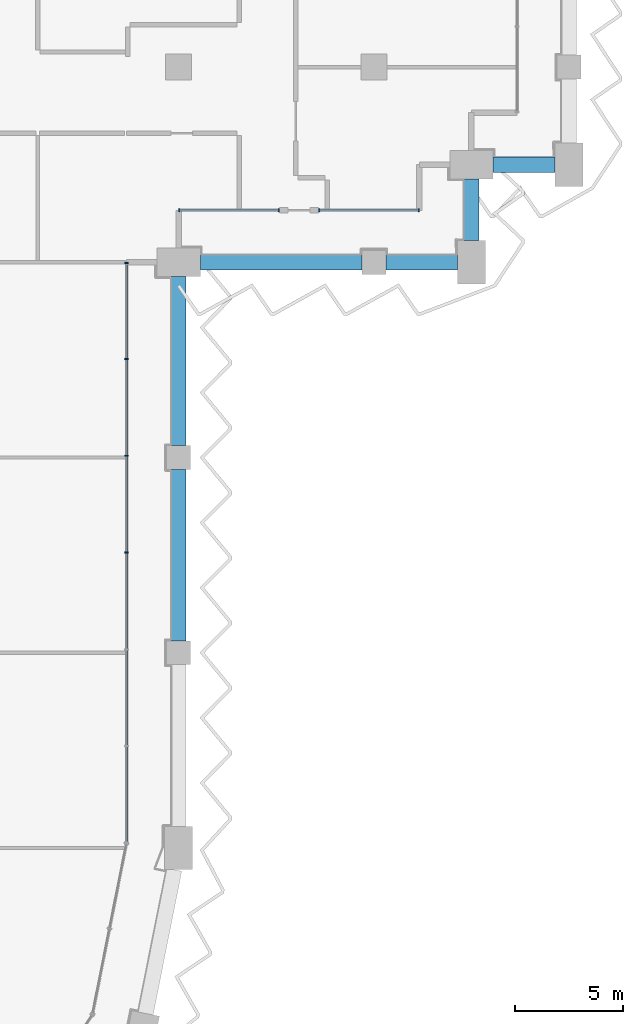
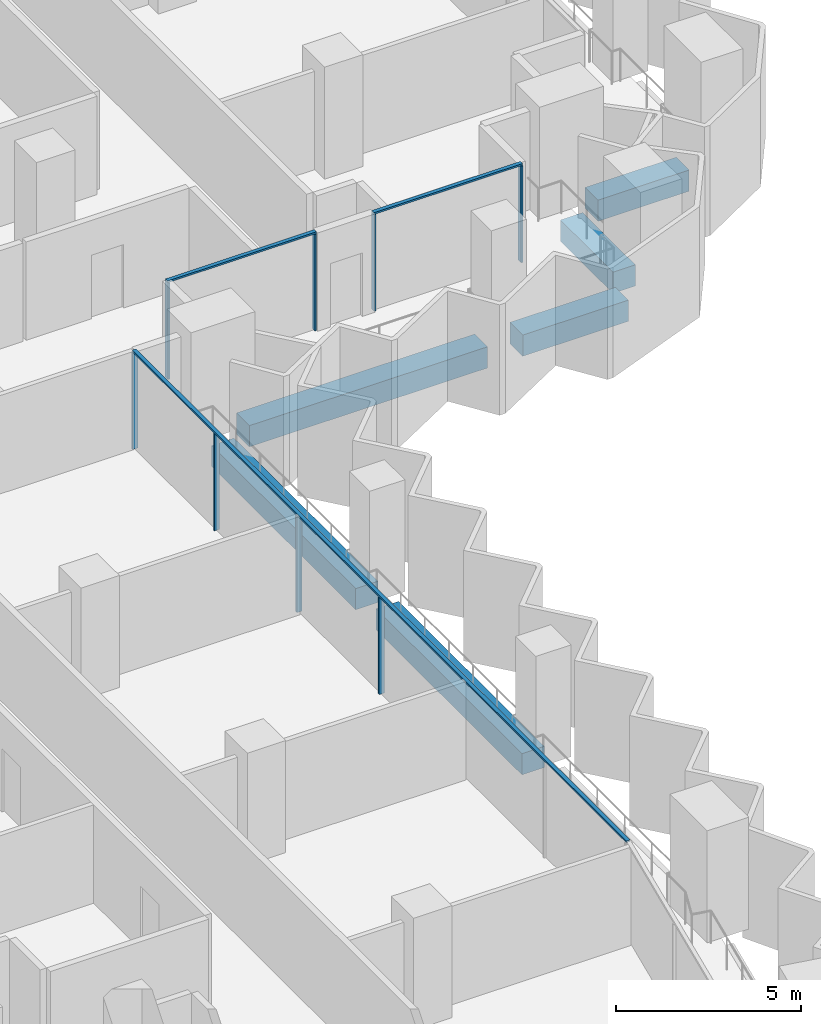
# One storey, part 5 of 22: 11 members, 6 beams, 3 elements without a shape of their own.
"""IFC4 building model written with IfcOpenShell, lengths in metres."""

import ifcopenshell
import ifcopenshell.guid

model = None  # the IFC model being written
_history = None  # IfcOwnerHistory: only IFC2X3 demands one
_inside = {}  # id of a spatial element -> (the spatial element, [elements in it])
_under = {}  # id of a project, library or spatial element -> (it, [spatial elements below it])
_declared = {}  # id of a project -> (the project, [libraries it declares])
_typed = {}  # id of a type object -> (the type object, [elements of that type])
_made_of = {}  # id of a material, layer set ... -> (it, [elements and type objects made of it])


def new_model(schema):
    """Start an empty IFC model of exactly this schema.

    Asked for "IFC4X3", IfcOpenShell would pick the latest addendum, in which some entities
    have other attributes; the version numbers below select the first issue.
    IFC2X3 requires an IfcOwnerHistory on every rooted entity: one is made here for all.
    """
    global model, _history
    if schema == "IFC4X3":
        model = ifcopenshell.file(schema_version=(4, 3, 0, 0))
    else:
        model = ifcopenshell.file(schema=schema)
    _inside.clear()
    _under.clear()
    _declared.clear()
    _typed.clear()
    _made_of.clear()
    _history = None
    if model.schema == "IFC2X3":
        org = make("IfcOrganization", Name="unknown")
        user = make(
            "IfcPersonAndOrganization",
            ThePerson=make("IfcPerson", FamilyName="unknown"),
            TheOrganization=org,
        )
        app = make(
            "IfcApplication",
            ApplicationDeveloper=org,
            Version="unknown",
            ApplicationFullName="unknown",
            ApplicationIdentifier="unknown",
        )
        _history = make(
            "IfcOwnerHistory",
            OwningUser=user,
            OwningApplication=app,
            ChangeAction="ADDED",
            CreationDate=0,
        )
    return model


def make(cls, **values):
    """One entity of the class cls with the attributes given. An attribute that is None is left unset."""
    return model.create_entity(
        cls, **{name: value for name, value in values.items() if value is not None}
    )


def rooted(cls, **values):
    """An entity with a GlobalId (a new one), such as an element, a storey or a relation."""
    return make(cls, GlobalId=ifcopenshell.guid.new(), OwnerHistory=_history, **values)


def si_unit(unit_type, name, prefix=None):
    """IfcSIUnit, for example si_unit("LENGTHUNIT", "METRE", prefix="MILLI")."""
    return make("IfcSIUnit", UnitType=unit_type, Prefix=prefix, Name=name)


def assignment(units):
    """IfcUnitAssignment: the units of a project."""
    return None if units is None else make("IfcUnitAssignment", Units=units)


def point(xyz):
    """IfcCartesianPoint."""
    return None if xyz is None else make("IfcCartesianPoint", Coordinates=xyz)


def direction(xyz):
    """IfcDirection."""
    return None if xyz is None else make("IfcDirection", DirectionRatios=xyz)


def frame(location, z_axis=None, x_axis=None):
    """IfcAxis2Placement3D, a coordinate frame: its origin and axes. An axis left out is left unset."""
    return make(
        "IfcAxis2Placement3D",
        Location=point(location),
        Axis=direction(z_axis),
        RefDirection=direction(x_axis),
    )


def frame_2d(location, x_axis=None):
    """IfcAxis2Placement2D, a coordinate frame in the plane: its origin and x axis."""
    return make(
        "IfcAxis2Placement2D", Location=point(location), RefDirection=direction(x_axis)
    )


def origin():
    """The frame at (0, 0, 0) with its axes left unset."""
    return frame((0.0, 0.0, 0.0))


def origin_2d():
    """The frame at (0, 0) in the plane with its x axis left unset."""
    return frame_2d((0.0, 0.0))


def place(relative_to, where):
    """IfcLocalPlacement: puts the frame where relative to a parent placement (None: the world)."""
    return make(
        "IfcLocalPlacement", PlacementRelTo=relative_to, RelativePlacement=where
    )


def context(
    kind, dimensions, precision=None, world=None, true_north=None, identifier=None
):
    """IfcGeometricRepresentationContext, for example the 3D "Model" context."""
    return make(
        "IfcGeometricRepresentationContext",
        ContextIdentifier=identifier,
        ContextType=kind,
        CoordinateSpaceDimension=dimensions,
        Precision=precision,
        WorldCoordinateSystem=world,
        TrueNorth=true_north,
    )


def subcontext(parent, identifier, kind, view, scale=None):
    """IfcGeometricRepresentationSubContext, for example "Body" below "Model"."""
    return make(
        "IfcGeometricRepresentationSubContext",
        ContextIdentifier=identifier,
        ContextType=kind,
        ParentContext=parent,
        TargetScale=scale,
        TargetView=view,
    )


def project(units=None, contexts=None):
    """IfcProject with its units and contexts."""
    return rooted(
        "IfcProject",
        Name="project",
        RepresentationContexts=contexts,
        UnitsInContext=assignment(units),
    )


def spatial(cls, under=None, at=None, **own):
    """A site, building, storey or space (cls), placed at a placement, below another one or the project."""
    s = rooted(cls, ObjectPlacement=at, **own)
    if under is not None:
        _under.setdefault(under.id(), (under, []))[1].append(s)
    return s


def profile(cls, at=None, kind="AREA", **sizes):
    """A parametric profile (cls). Its sizes go by their IFC names, for example OverallWidth=200.0."""
    return make(cls, ProfileType=kind, Position=at, **sizes)


def rectangle(**sizes):
    """IfcRectangleProfileDef."""
    return profile("IfcRectangleProfileDef", **sizes)


def extrude(swept, where, along, depth):
    """IfcExtrudedAreaSolid: the profile swept, set in the frame where, extruded along a direction by depth."""
    return make(
        "IfcExtrudedAreaSolid",
        SweptArea=swept,
        Position=where,
        ExtrudedDirection=direction(along),
        Depth=depth,
    )


def shape(context_of_items, identifier, shape_type, items):
    """IfcShapeRepresentation: the items that make up one representation, for example the "Body"."""
    return make(
        "IfcShapeRepresentation",
        ContextOfItems=context_of_items,
        RepresentationIdentifier=identifier,
        RepresentationType=shape_type,
        Items=items,
    )


def material(Name=None, Category=None):
    """IfcMaterial."""
    return make("IfcMaterial", Name=Name, Category=Category)


def material_profile(
    of_material, cross_section, Name=None, Category=None, Priority=None
):
    """IfcMaterialProfile: a cross section and its material."""
    return make(
        "IfcMaterialProfile",
        Name=Name,
        Material=of_material,
        Profile=cross_section,
        Priority=Priority,
        Category=Category,
    )


def profile_set(profiles, Name=None, composite=None):
    """IfcMaterialProfileSet."""
    return make(
        "IfcMaterialProfileSet",
        Name=Name,
        MaterialProfiles=profiles,
        CompositeProfile=composite,
    )


def made_of(thing, what):
    """Note that an element or type object is made of a material, layer set ...; save() writes the relation."""
    if what is not None:
        _made_of.setdefault(what.id(), (what, []))[1].append(thing)
    return thing


def type_object(cls, material=None, **own):
    """A type object (cls), such as IfcWallType, which elements share."""
    return made_of(rooted(cls, **own), material)


def element(
    cls,
    number,
    at=None,
    inside=None,
    cuts=None,
    type_object=None,
    material=None,
    context=None,
    identifier="Body",
    shape_type=None,
    held_by="IfcProductDefinitionShape",
    body=None,
    shapes=None,
    **own,
):
    """One element of the class cls, such as IfcWall. Its Tag is "e" and its number.

    at: its placement. inside: the storey or other place that contains it. cuts: it is an
    opening in that element (IfcRelVoidsElement). A single representation is given by context,
    identifier, shape_type and body (its items); several are given by shapes. held_by: the class
    of the entity that holds the representations. save() writes the other relations.
    """
    e = rooted(cls, Tag="e%d" % number, ObjectPlacement=at, **own)
    if body is not None:
        shapes = [shape(context, identifier, shape_type, body)]
    if shapes is not None:
        e.Representation = make(held_by, Representations=shapes)
    if inside is not None:
        _inside.setdefault(inside.id(), (inside, []))[1].append(e)
    if cuts is not None:
        rooted(
            "IfcRelVoidsElement", RelatingBuildingElement=cuts, RelatedOpeningElement=e
        )
    if type_object is not None:
        _typed.setdefault(type_object.id(), (type_object, []))[1].append(e)
    return made_of(e, material)


def aggregate(whole, parts):
    """IfcRelAggregates: a whole, such as a stair, and the parts it consists of."""
    return rooted("IfcRelAggregates", RelatingObject=whole, RelatedObjects=parts)


def save(model, path):
    """Write the relations noted so far, then the file.

    IfcRelAggregates (storeys below a building ...), IfcRelContainedInSpatialStructure (elements
    in a storey), IfcRelDefinesByType, IfcRelAssociatesMaterial and IfcRelDeclares: one each for
    every whole, place, type object, material and project.
    """
    for whole, parts in _under.values():
        aggregate(whole, parts)
    for where, things in _inside.values():
        rooted(
            "IfcRelContainedInSpatialStructure",
            RelatedElements=things,
            RelatingStructure=where,
        )
    for kind, things in _typed.values():
        rooted("IfcRelDefinesByType", RelatedObjects=things, RelatingType=kind)
    for what, things in _made_of.values():
        rooted("IfcRelAssociatesMaterial", RelatedObjects=things, RelatingMaterial=what)
    for by, libraries in _declared.values():
        rooted("IfcRelDeclares", RelatingContext=by, RelatedDefinitions=libraries)
    model.write(path)


model = new_model("IFC4")

# Units and contexts
model_context = context("Model", 3, precision=1e-05, world=origin(), true_north=direction((0.0, 1.0)))
body_context = subcontext(model_context, "Body", "Model", "MODEL_VIEW")
ifc_project = project(units=[si_unit("LENGTHUNIT", "METRE"), si_unit("AREAUNIT", "SQUARE_METRE"), si_unit("VOLUMEUNIT", "CUBIC_METRE"), si_unit("PLANEANGLEUNIT", "RADIAN"), si_unit("MASSUNIT", "GRAM", prefix="KILO")], contexts=[model_context])

# Site, building, storey
site_placement = place(None, origin())
site = spatial("IfcSite", under=ifc_project, at=site_placement, CompositionType="ELEMENT")
building_placement = place(site_placement, origin())
building = spatial("IfcBuilding", under=site, at=building_placement, Name="Hunhe Ridgeline Campus", CompositionType="ELEMENT")
storey_placement = place(building_placement, frame((0.0, 0.0, 174.5)))
storey = spatial("IfcBuildingStorey", under=building, at=storey_placement, Name="L44", CompositionType="ELEMENT", Elevation=174.5)

# Curtain wall, members
ifc_material_1 = material(Name="Aluminium 6063", Category="aluminium")
curtain_wall_type = type_object("IfcCurtainWallType", Name="Curtain wall CW-1", PredefinedType="NOTDEFINED", material=ifc_material_1)
curtain_wall_1_placement = place(storey_placement, origin())
curtain_wall_1 = element("IfcCurtainWall", 1, at=curtain_wall_1_placement, inside=storey, type_object=curtain_wall_type, Name="Curtain wall 11", PredefinedType="NOTDEFINED")
ifc_material_profile_1 = material_profile(ifc_material_1, rectangle(XDim=0.159912109375, YDim=0.06005859375, at=origin_2d()))
ifc_profile_set_1 = profile_set([ifc_material_profile_1], Name="Aluminium 6063")
member_type_1 = type_object("IfcMemberType", Name="CW-1 aluminium mullion", PredefinedType="MULLION", material=ifc_profile_set_1)
member_1_placement = place(storey_placement, frame((42.59912109375, 40.618408203125, 0.0), z_axis=(0.0, 0.0, 1.0), x_axis=(-0.99999999999, 4.408911e-06, 0.0)))
member_1 = element("IfcMember", 2, at=member_1_placement, type_object=member_type_1, Name="CW-1 mullion 4", PredefinedType="MULLION", context=body_context, shape_type="SweptSolid", body=[
    extrude(rectangle(XDim=0.159912109375, YDim=0.06005859375, at=origin_2d()), origin(), (0.0, 0.0, 1.0), 3.18994140625),
])
member_2_placement = place(storey_placement, frame((42.59912109375, 45.0791015625, 0.0), z_axis=(0.0, 0.0, 1.0), x_axis=(-0.99999999999, 4.408911e-06, 0.0)))
member_2 = element("IfcMember", 3, at=member_2_placement, type_object=member_type_1, Name="CW-1 mullion 5", PredefinedType="MULLION", context=body_context, shape_type="SweptSolid", body=[
    extrude(rectangle(XDim=0.159912109375, YDim=0.06005859375, at=origin_2d()), origin(), (0.0, 0.0, 1.0), 3.18994140625),
])
member_3_placement = place(storey_placement, frame((42.59912109375, 49.539794921875, 0.0), z_axis=(0.0, 0.0, 1.0), x_axis=(-0.99999999999, 4.408911e-06, 0.0)))
member_3 = element("IfcMember", 4, at=member_3_placement, type_object=member_type_1, Name="CW-1 mullion 6", PredefinedType="MULLION", context=body_context, shape_type="SweptSolid", body=[
    extrude(rectangle(XDim=0.159912109375, YDim=0.06005859375, at=origin_2d()), origin(), (0.0, 0.0, 1.0), 3.18994140625),
])
member_4_placement = place(storey_placement, frame((42.59912109375, 53.970458984375, 0.0), z_axis=(0.0, 0.0, 1.0), x_axis=(-0.99999999999, 4.408911e-06, 0.0)))
member_4 = element("IfcMember", 5, at=member_4_placement, type_object=member_type_1, Name="CW-1 mullion 7", PredefinedType="MULLION", context=body_context, shape_type="SweptSolid", body=[
    extrude(rectangle(XDim=0.159912109375, YDim=0.06005859375, at=origin_2d()), origin(), (0.0, 0.0, 1.0), 3.18994140625),
])

curtain_wall_2_placement = place(storey_placement, origin())
curtain_wall_2 = element("IfcCurtainWall", 6, at=curtain_wall_2_placement, inside=storey, type_object=curtain_wall_type, Name="Curtain wall 12", PredefinedType="NOTDEFINED")
member_5_placement = place(storey_placement, frame((45.02978515625, 56.40087890625, 0.0), z_axis=(0.0, 0.0, 1.0), x_axis=(-1.72058e-06, 0.999999999999, 0.0)))
member_5 = element("IfcMember", 7, at=member_5_placement, type_object=member_type_1, Name="CW-1 mullion 1", PredefinedType="MULLION", context=body_context, shape_type="SweptSolid", body=[
    extrude(rectangle(XDim=0.159912109375, YDim=0.06005859375, at=origin_2d()), origin(), (0.0, 0.0, 1.0), 3.18994140625),
])
member_6_placement = place(storey_placement, frame((49.619384765625, 56.40087890625, 0.0), z_axis=(0.0, 0.0, 1.0), x_axis=(-1.72058e-06, 0.999999999999, 0.0)))
member_6 = element("IfcMember", 8, at=member_6_placement, type_object=member_type_1, Name="CW-1 mullion 2", PredefinedType="MULLION", context=body_context, shape_type="SweptSolid", body=[
    extrude(rectangle(XDim=0.159912109375, YDim=0.06005859375, at=origin_2d()), origin(), (0.0, 0.0, 1.0), 3.18994140625),
])

curtain_wall_3_placement = place(storey_placement, origin())
curtain_wall_3 = element("IfcCurtainWall", 9, at=curtain_wall_3_placement, inside=storey, type_object=curtain_wall_type, Name="Curtain wall 13", PredefinedType="NOTDEFINED")
member_7_placement = place(storey_placement, frame((51.4794921875, 56.40087890625, 0.0), z_axis=(0.0, 0.0, 1.0), x_axis=(-1.72058e-06, 0.999999999999, 0.0)))
member_7 = element("IfcMember", 10, at=member_7_placement, type_object=member_type_1, Name="CW-1 mullion 1", PredefinedType="MULLION", context=body_context, shape_type="SweptSolid", body=[
    extrude(rectangle(XDim=0.159912109375, YDim=0.06005859375, at=origin_2d()), origin(), (0.0, 0.0, 1.0), 3.18994140625),
])
member_8_placement = place(storey_placement, frame((56.069091796875, 56.40087890625, 0.0), z_axis=(0.0, 0.0, 1.0), x_axis=(-1.72058e-06, 0.999999999999, 0.0)))
member_8 = element("IfcMember", 11, at=member_8_placement, type_object=member_type_1, Name="CW-1 mullion 2", PredefinedType="MULLION", context=body_context, shape_type="SweptSolid", body=[
    extrude(rectangle(XDim=0.159912109375, YDim=0.06005859375, at=origin_2d()), origin(), (0.0, 0.0, 1.0), 3.18994140625),
])

# Member
ifc_material_profile_2 = material_profile(ifc_material_1, rectangle(XDim=0.1201171875, YDim=0.06005859375, at=origin_2d()))
ifc_profile_set_2 = profile_set([ifc_material_profile_2], Name="Aluminium 6063")
member_type_2 = type_object("IfcMemberType", Name="CW-1 aluminium transom", PredefinedType="USERDEFINED", material=ifc_profile_set_2)
member_9_placement = place(storey_placement, frame((42.59912109375, 27.236572265625, 3.219970703125), z_axis=(0.0, 1.0, 0.0), x_axis=(-1.0, 0.0, 0.0)))
member_9 = element("IfcMember", 12, at=member_9_placement, type_object=member_type_2, Name="CW-1 transom 1", ObjectType="TRANSOM", PredefinedType="USERDEFINED", context=body_context, shape_type="SweptSolid", body=[
    extrude(rectangle(XDim=0.1201171875, YDim=0.06005859375, at=origin_2d()), origin(), (0.0, 0.0, 1.0), 26.763916015625),
])

aggregate(curtain_wall_1, [member_9, member_1, member_2, member_3, member_4])

member_10_placement = place(storey_placement, frame((44.999755859375, 56.40087890625, 3.219970703125), z_axis=(1.0, 0.0, 0.0), x_axis=(0.0, 1.0, 0.0)))
member_10 = element("IfcMember", 13, at=member_10_placement, type_object=member_type_2, Name="CW-1 transom 1", ObjectType="TRANSOM", PredefinedType="USERDEFINED", context=body_context, shape_type="SweptSolid", body=[
    extrude(rectangle(XDim=0.1201171875, YDim=0.06005859375, at=origin_2d()), origin(), (0.0, 0.0, 1.0), 4.649658203125),
])

aggregate(curtain_wall_2, [member_10, member_5, member_6])

member_11_placement = place(storey_placement, frame((51.449462890625, 56.40087890625, 3.219970703125), z_axis=(1.0, 0.0, 0.0), x_axis=(0.0, 1.0, 0.0)))
member_11 = element("IfcMember", 14, at=member_11_placement, type_object=member_type_2, Name="CW-1 transom 1", ObjectType="TRANSOM", PredefinedType="USERDEFINED", context=body_context, shape_type="SweptSolid", body=[
    extrude(rectangle(XDim=0.1201171875, YDim=0.06005859375, at=origin_2d()), origin(), (0.0, 0.0, 1.0), 4.649658203125),
])

aggregate(curtain_wall_3, [member_11, member_7, member_8])

# Beams
ifc_material_2 = material(Name="Concrete C60", Category="concrete")
ifc_material_profile_3 = material_profile(ifc_material_2, rectangle(XDim=0.699951171875, YDim=0.699951171875, at=origin_2d()))
ifc_profile_set_3 = profile_set([ifc_material_profile_3], Name="Concrete C60")
beam_type = type_object("IfcBeamType", Name="RC spandrel beam 700x700 Concrete C60", PredefinedType="SPANDREL", material=ifc_profile_set_3)
beam_1_placement = place(storey_placement, frame((45.0, 36.550048828125, -0.60009765625), z_axis=(0.0, 1.0, 0.0), x_axis=(-1.0, 0.0, 0.0)))
element("IfcBeam", 15, at=beam_1_placement, inside=storey, type_object=beam_type, Name="Spandrel beam B2-10 L44", PredefinedType="SPANDREL", context=body_context, shape_type="SweptSolid", body=[
    extrude(rectangle(XDim=0.699951171875, YDim=0.699951171875, at=origin_2d()), origin(), (0.0, 0.0, 1.0), 7.89990234375),
])
beam_2_placement = place(storey_placement, frame((45.0, 45.550048828125, -0.60009765625), z_axis=(0.0, 1.0, 0.0), x_axis=(-1.0, 0.0, 0.0)))
element("IfcBeam", 16, at=beam_2_placement, inside=storey, type_object=beam_type, Name="Spandrel beam B2-11 L44", PredefinedType="SPANDREL", context=body_context, shape_type="SweptSolid", body=[
    extrude(rectangle(XDim=0.699951171875, YDim=0.699951171875, at=origin_2d()), origin(), (0.0, 0.0, 1.0), 7.800048828125),
])
beam_3_placement = place(storey_placement, frame((46.0, 54.0, -0.60009765625), z_axis=(1.0, 0.0, 0.0), x_axis=(0.0, 1.0, 0.0)))
element("IfcBeam", 17, at=beam_3_placement, inside=storey, type_object=beam_type, Name="Spandrel beam B2-12 L44", PredefinedType="SPANDREL", context=body_context, shape_type="SweptSolid", body=[
    extrude(rectangle(XDim=0.699951171875, YDim=0.699951171875, at=origin_2d()), origin(), (0.0, 0.0, 1.0), 7.449951171875),
])
beam_4_placement = place(storey_placement, frame((54.550048828125, 54.0, -0.60009765625), z_axis=(1.0, 0.0, 0.0), x_axis=(0.0, 1.0, 0.0)))
element("IfcBeam", 18, at=beam_4_placement, inside=storey, type_object=beam_type, Name="Spandrel beam B2-13 L44", PredefinedType="SPANDREL", context=body_context, shape_type="SweptSolid", body=[
    extrude(rectangle(XDim=0.699951171875, YDim=0.699951171875, at=origin_2d()), origin(), (0.0, 0.0, 1.0), 3.300048828125),
])
for number, where, z_axis, x_axis, name in (
    (19, (58.5, 55.0, -0.60009765625), (0.0, 1.0, 0.0), (-1.0, 0.0, 0.0), "Spandrel beam B2-14 L44"),
    (20, (59.5, 58.5, -0.60009765625), (1.0, 0.0, 0.0), (0.0, 1.0, 0.0), "Spandrel beam B2-15 L44"),
):
    element("IfcBeam", number, at=place(storey_placement, frame(where, z_axis=z_axis, x_axis=x_axis)), inside=storey, type_object=beam_type, Name=name, PredefinedType="SPANDREL", context=body_context, shape_type="SweptSolid", body=[
        extrude(rectangle(XDim=0.699951171875, YDim=0.699951171875, at=origin_2d()), origin(), (0.0, 0.0, 1.0), 2.85009765625),
    ])

save(model, "model.ifc")
